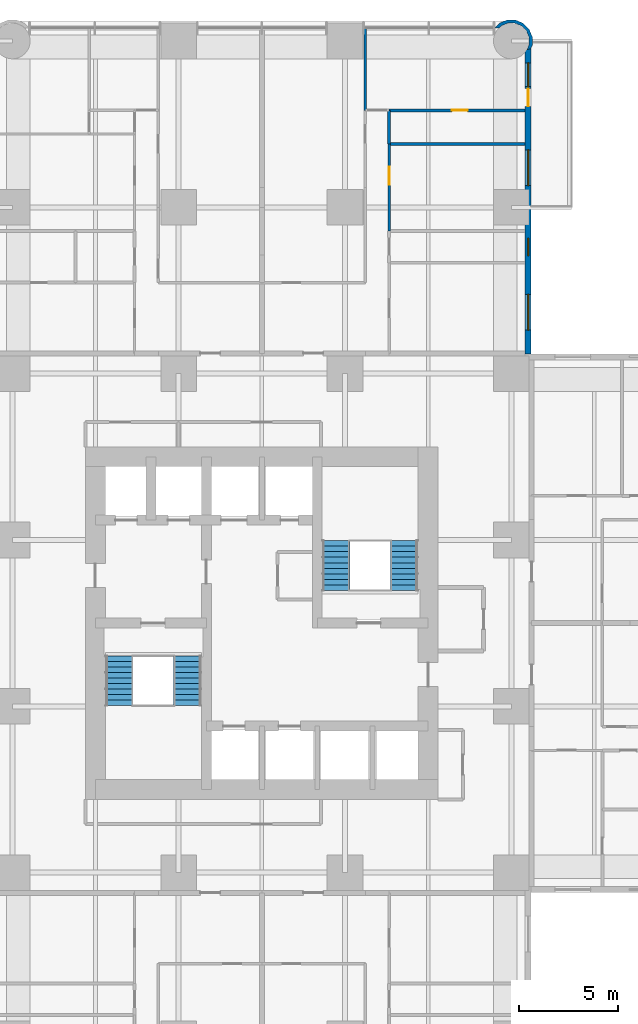
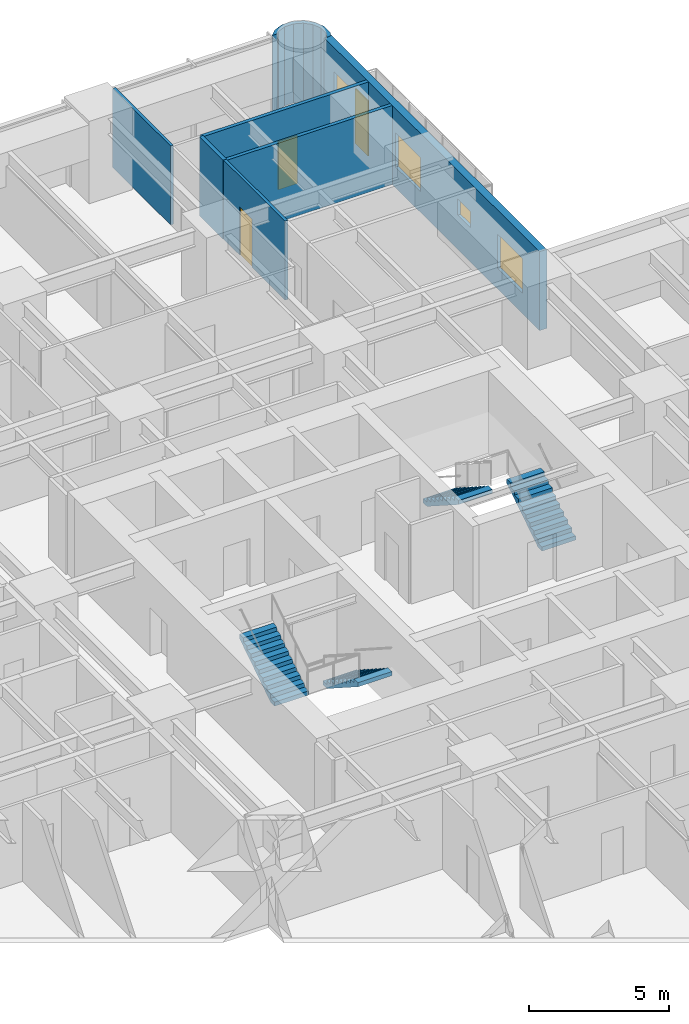
# One storey, part 15 of 17: 7 walls, 4 stair flights, 4 windows, 3 doors, 7 openings, 2 elements without a shape of their own.
"""IFC4 building model written with IfcOpenShell, lengths in metres."""

from ifc_helpers import new_model, si_unit, direction, frame, frame_2d, origin, place, context, subcontext, project, spatial, polyline, rectangle, outline, extrude, material, layer, layer_set, type_object, element, fill, aggregate, save


model = new_model("IFC4")

# Units and contexts
model_context = context("Model", 3, precision=1e-05, world=origin(), true_north=direction((0.0, 1.0)))
body_context = subcontext(model_context, "Body", "Model", "MODEL_VIEW")
ifc_project = project(units=[si_unit("LENGTHUNIT", "METRE"), si_unit("AREAUNIT", "SQUARE_METRE"), si_unit("VOLUMEUNIT", "CUBIC_METRE"), si_unit("PLANEANGLEUNIT", "RADIAN"), si_unit("MASSUNIT", "GRAM", prefix="KILO")], contexts=[model_context])

# Site, building, storey
site_placement = place(None, origin())
site = spatial("IfcSite", under=ifc_project, at=site_placement, CompositionType="ELEMENT")
building_placement = place(site_placement, origin())
building = spatial("IfcBuilding", under=site, at=building_placement, Name="Torre Alcanfor", CompositionType="ELEMENT")
storey_placement = place(building_placement, frame((0.0, 0.0, 74.10009765625)))
storey = spatial("IfcBuildingStorey", under=building, at=storey_placement, Name="L18", CompositionType="ELEMENT", Elevation=74.10009765625)

# Wall
ifc_material_1 = material(Name="Gypsum board on steel studs", Category="steel")
ifc_layer_1 = layer(ifc_material_1, 0.1201171875)
ifc_layer_set_1 = layer_set([ifc_layer_1], Name="Apartment partition 120")
wall_type_1 = type_object("IfcWallType", Name="Apartment partition 120", PredefinedType="PARTITIONING", material=ifc_layer_set_1)
wall_1_placement = place(storey_placement, frame((34.62890625, 59.449951171875, 0.0), z_axis=(0.0, 0.0, 1.0), x_axis=(0.0, -1.0, 0.0)))
element("IfcWall", 1, at=wall_1_placement, inside=storey, type_object=wall_type_1, Name="Partition L18-N2-LIVING / L18-N2-MASTER", PredefinedType="PARTITIONING", context=body_context, shape_type="SweptSolid", body=[
    extrude(rectangle(XDim=4.14990234375, YDim=0.1201171875, at=frame_2d((2.074951171875, 0.0))), origin(), (0.0, 0.0, 1.0), 3.449951171875),
])

# Wall, opening, door
wall_2_placement = place(storey_placement, frame((35.8291015625, 53.60009765625, 0.0), z_axis=(0.0, 0.0, 1.0), x_axis=(0.0, -1.0, 0.0)))
wall_2 = element("IfcWall", 2, at=wall_2_placement, inside=storey, type_object=wall_type_1, Name="Partition L18-N2-HALL / L18-N2-BED2", PredefinedType="PARTITIONING", context=body_context, shape_type="SweptSolid", body=[
    extrude(rectangle(XDim=4.400146484375, YDim=0.1201171875, at=frame_2d((2.2001953125, 0.0))), origin(), (0.0, 0.0, 1.0), 3.449951171875),
])
opening_1_placement = place(wall_2_placement, frame((1.14990234375, 0.0, 0.0)))
opening_1 = element("IfcOpeningElement", 3, at=opening_1_placement, cuts=wall_2, Name="Opening D-R1", PredefinedType="OPENING", context=body_context, shape_type="SweptSolid", body=[
    extrude(rectangle(XDim=0.89990234375, YDim=2.10009765625, at=frame_2d((0.449951171875, 1.050048828125))), frame((0.0, 0.070068359375, 0.0), z_axis=(0.0, -1.0, 0.0), x_axis=(1.0, 0.0, 0.0)), (0.0, 0.0, 1.0), 0.14013671875),
])
ifc_material_2 = material(Name="Timber", Category="wood")
door_type_1 = type_object("IfcDoorType", Name="Internal door 900x2100", OperationType="SINGLE_SWING_LEFT", PredefinedType="DOOR", material=ifc_material_2)
door_1_placement = place(opening_1_placement, origin())
door_1 = element("IfcDoor", 4, at=door_1_placement, inside=storey, type_object=door_type_1, Name="Door L18-N2 bed2", OperationType="SINGLE_SWING_LEFT", OverallHeight=2.10009765625, OverallWidth=0.89990234375, PredefinedType="DOOR", context=body_context, shape_type="SweptSolid", body=[
    extrude(rectangle(XDim=0.89990234375, YDim=2.10009765625, at=frame_2d((0.449951171875, 1.050048828125))), frame((0.0, 0.02490234375, 0.0), z_axis=(0.0, -1.0, 0.0), x_axis=(1.0, 0.0, 0.0)), (0.0, 0.0, 1.0), 0.050048828125),
])
fill(opening_1, door_1)

# Wall, openings, door, windows
ifc_material_3 = material(Name="Limestone cladding", Category="masonry")
ifc_layer_2 = layer(ifc_material_3, 0.0400390625, Name="Facing")
ifc_material_4 = material(Name="Ventilated air cavity")
ifc_layer_3 = layer(ifc_material_4, 0.02001953125, ventilated=True, Name="Ventilated joint")
ifc_material_5 = material(Name="Mineral wool insulation", Category="insulation")
ifc_layer_4 = layer(ifc_material_5, 0.10009765625, Name="Insulation")
ifc_material_6 = material(Name="Concrete f'c 35 MPa", Category="concrete")
ifc_layer_5 = layer(ifc_material_6, 0.139892578125, Name="Backing")
ifc_layer_set_2 = layer_set([ifc_layer_2, ifc_layer_3, ifc_layer_4, ifc_layer_5], Name="External wall stone-clad 300")
wall_type_2 = type_object("IfcWallType", Name="External wall stone-clad 300", PredefinedType="SOLIDWALL", material=ifc_layer_set_2)
wall_3_placement = place(storey_placement, frame((42.85009765625, 43.0, 0.0), z_axis=(0.0, 0.0, 1.0), x_axis=(0.0, 1.0, 0.0)))
wall_3 = element("IfcWall", 5, at=wall_3_placement, inside=storey, type_object=wall_type_2, Name="External wall L18 10", PredefinedType="SOLIDWALL", context=body_context, shape_type="SweptSolid", body=[
    extrude(rectangle(XDim=15.39990234375, YDim=0.300048828125, at=frame_2d((7.699951171875, 0.0))), origin(), (0.0, 0.0, 1.0), 3.449951171875),
])
opening_2_placement = place(wall_3_placement, frame((1.199951171875, 0.0, 0.89990234375)))
opening_2 = element("IfcOpeningElement", 6, at=opening_2_placement, cuts=wall_3, Name="Opening W2", PredefinedType="OPENING", context=body_context, shape_type="SweptSolid", body=[
    extrude(rectangle(XDim=1.800048828125, YDim=1.5, at=frame_2d((0.89990234375, 0.75))), frame((0.0, 0.159912109375, 0.0), z_axis=(0.0, -1.0, 0.0), x_axis=(1.0, 0.0, 0.0)), (0.0, 0.0, 1.0), 0.320068359375),
])
opening_3_placement = place(wall_3_placement, frame((4.949951171875, 0.0, 1.5)))
opening_3 = element("IfcOpeningElement", 7, at=opening_3_placement, cuts=wall_3, Name="Opening W3", PredefinedType="OPENING", context=body_context, shape_type="SweptSolid", body=[
    extrude(rectangle(XDim=0.89990234375, YDim=0.699951171875, at=frame_2d((0.449951171875, 0.35009765625))), frame((0.0, 0.159912109375, 0.0), z_axis=(0.0, -1.0, 0.0), x_axis=(1.0, 0.0, 0.0)), (0.0, 0.0, 1.0), 0.320068359375),
])
opening_4_placement = place(wall_3_placement, frame((8.5, 0.0, 0.89990234375)))
opening_4 = element("IfcOpeningElement", 8, at=opening_4_placement, cuts=wall_3, Name="Opening W2", PredefinedType="OPENING", context=body_context, shape_type="SweptSolid", body=[
    extrude(rectangle(XDim=1.800048828125, YDim=1.5, at=frame_2d((0.89990234375, 0.75))), frame((0.0, 0.159912109375, 0.0), z_axis=(0.0, -1.0, 0.0), x_axis=(1.0, 0.0, 0.0)), (0.0, 0.0, 1.0), 0.320068359375),
])
opening_5_placement = place(wall_3_placement, frame((12.5, 0.0, 0.0)))
opening_5 = element("IfcOpeningElement", 9, at=opening_5_placement, cuts=wall_3, Name="Opening D-B1", PredefinedType="OPENING", context=body_context, shape_type="SweptSolid", body=[
    extrude(rectangle(XDim=0.89990234375, YDim=2.39990234375, at=frame_2d((0.449951171875, 1.199951171875))), frame((0.0, 0.159912109375, 0.0), z_axis=(0.0, -1.0, 0.0), x_axis=(1.0, 0.0, 0.0)), (0.0, 0.0, 1.0), 0.320068359375),
])
opening_6_placement = place(wall_3_placement, frame((13.5, 0.0, 0.89990234375)))
opening_6 = element("IfcOpeningElement", 10, at=opening_6_placement, cuts=wall_3, Name="Opening W4", PredefinedType="OPENING", context=body_context, shape_type="SweptSolid", body=[
    extrude(rectangle(XDim=1.199951171875, YDim=1.5, at=frame_2d((0.60009765625, 0.75))), frame((0.0, 0.159912109375, 0.0), z_axis=(0.0, -1.0, 0.0), x_axis=(1.0, 0.0, 0.0)), (0.0, 0.0, 1.0), 0.320068359375),
])
ifc_material_7 = material(Name="Aluminium and glass", Category="aluminium")
door_type_2 = type_object("IfcDoorType", Name="Balcony door glazed 900x2400", OperationType="SINGLE_SWING_LEFT", PredefinedType="DOOR", material=ifc_material_7)
door_2_placement = place(opening_5_placement, origin())
door_2 = element("IfcDoor", 11, at=door_2_placement, inside=storey, type_object=door_type_2, Name="Balcony door L18-N2", OperationType="SINGLE_SWING_LEFT", OverallHeight=2.39990234375, OverallWidth=0.89990234375, PredefinedType="DOOR", context=body_context, shape_type="SweptSolid", body=[
    extrude(rectangle(XDim=0.89990234375, YDim=2.39990234375, at=frame_2d((0.449951171875, 1.199951171875))), frame((0.0, 0.02490234375, 0.0), z_axis=(0.0, -1.0, 0.0), x_axis=(1.0, 0.0, 0.0)), (0.0, 0.0, 1.0), 0.050048828125),
])
fill(opening_5, door_2)
ifc_material_8 = material(Name="Aluminium frame with clear double glazing", Category="aluminium")
window_type_1 = type_object("IfcWindowType", Name="Window bathroom 900x700", PartitioningType="SINGLE_PANEL", PredefinedType="WINDOW", material=ifc_material_8)
window_1_placement = place(opening_3_placement, origin())
window_1 = element("IfcWindow", 12, at=window_1_placement, inside=storey, type_object=window_type_1, Name="Window W3 L18-N2", OverallHeight=0.699951171875, OverallWidth=0.89990234375, PartitioningType="SINGLE_PANEL", PredefinedType="WINDOW", context=body_context, shape_type="SweptSolid", body=[
    extrude(rectangle(XDim=0.89990234375, YDim=0.699951171875, at=frame_2d((0.449951171875, 0.35009765625))), frame((0.0, 0.030029296875, 0.0), z_axis=(0.0, -1.0, 0.0), x_axis=(1.0, 0.0, 0.0)), (0.0, 0.0, 1.0), 0.06005859375),
])
fill(opening_3, window_1)
ifc_material_9 = material(Name="Aluminium frame with clear double glazing", Category="aluminium")
window_type_2 = type_object("IfcWindowType", Name="Window bedroom 1200x1500", PartitioningType="SINGLE_PANEL", PredefinedType="WINDOW", material=ifc_material_9)
window_2_placement = place(opening_6_placement, origin())
window_2 = element("IfcWindow", 13, at=window_2_placement, inside=storey, type_object=window_type_2, Name="Window W4 L18-N2", OverallHeight=1.5, OverallWidth=1.199951171875, PartitioningType="SINGLE_PANEL", PredefinedType="WINDOW", context=body_context, shape_type="SweptSolid", body=[
    extrude(rectangle(XDim=1.199951171875, YDim=1.5, at=frame_2d((0.60009765625, 0.75))), frame((0.0, 0.030029296875, 0.0), z_axis=(0.0, -1.0, 0.0), x_axis=(1.0, 0.0, 0.0)), (0.0, 0.0, 1.0), 0.06005859375),
])
fill(opening_6, window_2)
ifc_material_10 = material(Name="Aluminium frame with clear double glazing", Category="aluminium")
window_type_3 = type_object("IfcWindowType", Name="Window bedroom 1800x1500", PartitioningType="SINGLE_PANEL", PredefinedType="WINDOW", material=ifc_material_10)
window_3_placement = place(opening_2_placement, origin())
window_3 = element("IfcWindow", 14, at=window_3_placement, inside=storey, type_object=window_type_3, Name="Window W2 L18-N2", OverallHeight=1.5, OverallWidth=1.800048828125, PartitioningType="SINGLE_PANEL", PredefinedType="WINDOW", context=body_context, shape_type="SweptSolid", body=[
    extrude(rectangle(XDim=1.800048828125, YDim=1.5, at=frame_2d((0.89990234375, 0.75))), frame((0.0, 0.030029296875, 0.0), z_axis=(0.0, -1.0, 0.0), x_axis=(1.0, 0.0, 0.0)), (0.0, 0.0, 1.0), 0.06005859375),
])
fill(opening_2, window_3)
window_4_placement = place(opening_4_placement, origin())
window_4 = element("IfcWindow", 15, at=window_4_placement, inside=storey, type_object=window_type_3, Name="Window W2 L18-N2", OverallHeight=1.5, OverallWidth=1.800048828125, PartitioningType="SINGLE_PANEL", PredefinedType="WINDOW", context=body_context, shape_type="SweptSolid", body=[
    extrude(rectangle(XDim=1.800048828125, YDim=1.5, at=frame_2d((0.89990234375, 0.75))), frame((0.0, 0.030029296875, 0.0), z_axis=(0.0, -1.0, 0.0), x_axis=(1.0, 0.0, 0.0)), (0.0, 0.0, 1.0), 0.06005859375),
])
fill(opening_4, window_4)

# Walls
ifc_layer_6 = layer(ifc_material_3, 0.0400390625, Name="Facing")
ifc_layer_7 = layer(ifc_material_4, 0.02001953125, ventilated=True, Name="Ventilated joint")
ifc_layer_8 = layer(ifc_material_5, 0.10009765625, Name="Insulation")
ifc_layer_9 = layer(ifc_material_6, 0.139892578125, Name="Backing")
ifc_layer_set_3 = layer_set([ifc_layer_6, ifc_layer_7, ifc_layer_8, ifc_layer_9], Name="Rounded corner pier stone-clad 300")
wall_type_3 = type_object("IfcWallType", Name="Rounded corner pier stone-clad 300", PredefinedType="SOLIDWALL", material=ifc_layer_set_3)
wall_4_placement = place(storey_placement, frame((42.909907157, 58.436037137, 0.0), z_axis=(0.0, 0.0, 1.0), x_axis=(0.377204953059, 0.926129809145, 0.0)))
element("IfcWall", 16, at=wall_4_placement, inside=storey, type_object=wall_type_3, Name="Corner pier L18 19", PredefinedType="SOLIDWALL", context=body_context, shape_type="SweptSolid", body=[
    extrude(outline(polyline([(0.7691852559267269, 1.7275655888693722), (0.7500837815089341, 1.7226854696447296), (0.5995184426781746, 1.8748886632921522), (0.2945936606603473, 2.0035010026328943), (0.2810273060341947, 1.997975539453316), (0.36031770266114094, 1.803298350568026), (0.5085974876189833, 1.7408474269996308), (0.7606365681954048, 1.4857768783201941), (0.8958262339890831, 1.1538534018003268), (0.8937222712355792, 0.7952725095567933), (0.7546148492098406, 0.46498406151765126), (0.499678315387847, 0.21326317790465843), (0.16775483886797962, 0.07807351211098004), (-0.09987659960761772, 0.07952365190173498), (0.0005179574386563676, -0.09706789048462287), (0.030062934124933945, -0.08028941878374739), (0.19840443706273136, -0.08131937838229769), (0.5888893443854909, 0.07772187013655965), (0.888882191412798, 0.3741551975114527), (1.0524222412975957, 0.7628997957685094), (1.0551270334293679, 1.1847291059055145), (0.8961778759635035, 1.5749879073178383), (0.7777318237989179, 1.6949314401857838), (0.7691852559267269, 1.7275655888693722)])), origin(), (0.0, 0.0, 1.0), 3.449951171875),
])
ifc_material_11 = material(Name="Cement board on steel studs", Category="steel")
ifc_layer_10 = layer(ifc_material_11, 0.14990234375)
ifc_layer_set_4 = layer_set([ifc_layer_10], Name="Wet area partition 150")
wall_type_4 = type_object("IfcWallType", Name="Wet area partition 150", PredefinedType="PARTITIONING", material=ifc_layer_set_4)
wall_5_placement = place(storey_placement, frame((35.8291015625, 55.300048828125, 0.0), z_axis=(0.0, 0.0, 1.0), x_axis=(0.0, -1.0, 0.0)))
element("IfcWall", 17, at=wall_5_placement, inside=storey, type_object=wall_type_4, Name="Partition L18-N2-HALL / L18-N2-ENSBATH", PredefinedType="PARTITIONING", context=body_context, shape_type="SweptSolid", body=[
    extrude(rectangle(XDim=1.699951171875, YDim=0.14990234375, at=frame_2d((0.85009765625, 0.0))), origin(), (0.0, 0.0, 1.0), 3.449951171875),
])
wall_6_placement = place(storey_placement, frame((35.8291015625, 53.60009765625, 0.0), z_axis=(0.0, 0.0, 1.0), x_axis=(1.0, 0.0, 0.0)))
element("IfcWall", 18, at=wall_6_placement, inside=storey, type_object=wall_type_4, Name="Partition L18-N2-BED2 / L18-N2-ENSBATH", PredefinedType="PARTITIONING", context=body_context, shape_type="SweptSolid", body=[
    extrude(rectangle(XDim=6.870849609375, YDim=0.14990234375, at=frame_2d((3.435546875, 0.0))), origin(), (0.0, 0.0, 1.0), 3.449951171875),
])

# Wall, opening, door
wall_7_placement = place(storey_placement, frame((35.8291015625, 55.300048828125, 0.0), z_axis=(0.0, 0.0, 1.0), x_axis=(1.0, 0.0, 0.0)))
wall_7 = element("IfcWall", 19, at=wall_7_placement, inside=storey, type_object=wall_type_4, Name="Partition L18-N2-ENSBATH / L18-N2-MASTER", PredefinedType="PARTITIONING", context=body_context, shape_type="SweptSolid", body=[
    extrude(rectangle(XDim=6.870849609375, YDim=0.14990234375, at=frame_2d((3.435546875, 0.0))), origin(), (0.0, 0.0, 1.0), 3.449951171875),
])
opening_7_placement = place(wall_7_placement, frame((3.1708984375, 0.0, 0.0)))
opening_7 = element("IfcOpeningElement", 20, at=opening_7_placement, cuts=wall_7, Name="Opening D-R2", PredefinedType="OPENING", context=body_context, shape_type="SweptSolid", body=[
    extrude(rectangle(XDim=0.800048828125, YDim=2.10009765625, at=frame_2d((0.39990234375, 1.050048828125))), frame((0.0, 0.0849609375, 0.0), z_axis=(0.0, -1.0, 0.0), x_axis=(1.0, 0.0, 0.0)), (0.0, 0.0, 1.0), 0.169921875),
])
ifc_material_12 = material(Name="Timber", Category="wood")
door_type_3 = type_object("IfcDoorType", Name="Bathroom door 800x2100", OperationType="SINGLE_SWING_LEFT", PredefinedType="DOOR", material=ifc_material_12)
door_3_placement = place(opening_7_placement, frame((0.800048828125, 0.0, 0.0), z_axis=(0.0, 0.0, 1.0), x_axis=(-1.0, 0.0, 0.0)))
door_3 = element("IfcDoor", 21, at=door_3_placement, inside=storey, type_object=door_type_3, Name="Door L18-N2 ensbath", OperationType="SINGLE_SWING_LEFT", OverallHeight=2.10009765625, OverallWidth=0.800048828125, PredefinedType="DOOR", context=body_context, shape_type="SweptSolid", body=[
    extrude(rectangle(XDim=0.800048828125, YDim=2.10009765625, at=frame_2d((0.400146484375, 1.050048828125))), frame((0.0, 0.025146484375, 0.0), z_axis=(0.0, -1.0, 0.0), x_axis=(1.0, 0.0, 0.0)), (0.0, 0.0, 1.0), 0.050048828125),
])
fill(opening_7, door_3)

# Stair, stair flights
ifc_material_13 = material(Name="Concrete f'c 35 MPa", Category="concrete")
stair_type_1 = type_object("IfcStairType", Name="Exit stair S1 1400 wide", PredefinedType="HALF_TURN_STAIR", material=ifc_material_13)
stair_1_placement = place(storey_placement, origin())
stair_1 = element("IfcStair", 22, at=stair_1_placement, inside=storey, type_object=stair_type_1, Name="Stair S1 L18 to L19", PredefinedType="HALF_TURN_STAIR")
ifc_material_14 = material(Name="Concrete f'c 35 MPa", Category="concrete")
stair_flight_type = type_object("IfcStairFlightType", Name="Stair flight 1400", PredefinedType="STRAIGHT", material=ifc_material_14)
stair_flight_1_placement = place(storey_placement, frame((25.64990234375, 27.75, 0.0), z_axis=(0.0, 0.0, 1.0), x_axis=(0.0, -1.0, 0.0)))
stair_flight_1 = element("IfcStairFlight", 23, at=stair_flight_1_placement, type_object=stair_flight_type, Name="S1 flight 1", NumberOfRisers=10, NumberOfTreads=9, PredefinedType="STRAIGHT", RiserHeight=0.18, TreadLength=0.28, context=body_context, shape_type="SweptSolid", body=[
    extrude(outline(polyline([(0.0, 0.0), (0.0, 0.179931640625), (0.280029296875, 0.179931640625), (0.280029296875, 0.360107421875), (0.56005859375, 0.360107421875), (0.56005859375, 0.5400390625), (0.840087890625, 0.5400390625), (0.840087890625, 0.719970703125), (1.1201171875, 0.719970703125), (1.1201171875, 0.89990234375), (1.39990234375, 0.89990234375), (1.39990234375, 1.080078125), (1.679931640625, 1.080078125), (1.679931640625, 1.260009765625), (1.9599609375, 1.260009765625), (1.9599609375, 1.43994140625), (2.239990234375, 1.43994140625), (2.239990234375, 1.6201171875), (2.52001953125, 1.6201171875), (2.52001953125, 1.800048828125), (2.52001953125, 1.44189453125), (0.277099609375, 0.0), (0.0, 0.0)])), frame((0.0, 0.699951171875, 0.0), z_axis=(0.0, -1.0, 0.0), x_axis=(1.0, 0.0, 0.0)), (0.0, 0.0, 1.0), 1.39990234375),
])
stair_flight_2_placement = place(storey_placement, frame((22.199951171875, 25.22998046875, 1.7998046875), z_axis=(0.0, 0.0, 1.0), x_axis=(0.0, 1.0, 0.0)))
stair_flight_2 = element("IfcStairFlight", 24, at=stair_flight_2_placement, type_object=stair_flight_type, Name="S1 flight 2", NumberOfRisers=10, NumberOfTreads=9, PredefinedType="STRAIGHT", RiserHeight=0.18, TreadLength=0.28, context=body_context, shape_type="SweptSolid", body=[
    extrude(outline(polyline([(0.0, 0.0), (0.0, 0.179931640625), (0.280029296875, 0.179931640625), (0.280029296875, 0.360107421875), (0.56005859375, 0.360107421875), (0.56005859375, 0.5400390625), (0.840087890625, 0.5400390625), (0.840087890625, 0.719970703125), (1.1201171875, 0.719970703125), (1.1201171875, 0.89990234375), (1.39990234375, 0.89990234375), (1.39990234375, 1.080078125), (1.679931640625, 1.080078125), (1.679931640625, 1.260009765625), (1.9599609375, 1.260009765625), (1.9599609375, 1.43994140625), (2.239990234375, 1.43994140625), (2.239990234375, 1.6201171875), (2.52001953125, 1.6201171875), (2.52001953125, 1.800048828125), (2.52001953125, 1.44189453125), (0.277099609375, 0.0), (0.0, 0.0)])), frame((0.0, 0.699951171875, 0.0), z_axis=(0.0, -1.0, 0.0), x_axis=(1.0, 0.0, 0.0)), (0.0, 0.0, 1.0), 1.39990234375),
])
aggregate(stair_1, [stair_flight_1, stair_flight_2])

ifc_material_15 = material(Name="Concrete f'c 35 MPa", Category="concrete")
stair_type_2 = type_object("IfcStairType", Name="Exit stair S2 1400 wide", PredefinedType="HALF_TURN_STAIR", material=ifc_material_15)
stair_2_placement = place(storey_placement, origin())
stair_2 = element("IfcStair", 25, at=stair_2_placement, inside=storey, type_object=stair_type_2, Name="Stair S2 L18 to L19", PredefinedType="HALF_TURN_STAIR")
stair_flight_3_placement = place(storey_placement, frame((36.60009765625, 31.050048828125, 0.0), z_axis=(0.0, 0.0, 1.0), x_axis=(0.0, 1.0, 0.0)))
stair_flight_3 = element("IfcStairFlight", 26, at=stair_flight_3_placement, type_object=stair_flight_type, Name="S2 flight 1", NumberOfRisers=10, NumberOfTreads=9, PredefinedType="STRAIGHT", RiserHeight=0.18, TreadLength=0.28, context=body_context, shape_type="SweptSolid", body=[
    extrude(outline(polyline([(0.0, 0.0), (0.0, 0.179931640625), (0.280029296875, 0.179931640625), (0.280029296875, 0.360107421875), (0.56005859375, 0.360107421875), (0.56005859375, 0.5400390625), (0.840087890625, 0.5400390625), (0.840087890625, 0.719970703125), (1.1201171875, 0.719970703125), (1.1201171875, 0.89990234375), (1.39990234375, 0.89990234375), (1.39990234375, 1.080078125), (1.679931640625, 1.080078125), (1.679931640625, 1.260009765625), (1.9599609375, 1.260009765625), (1.9599609375, 1.43994140625), (2.239990234375, 1.43994140625), (2.239990234375, 1.6201171875), (2.52001953125, 1.6201171875), (2.52001953125, 1.800048828125), (2.52001953125, 1.44189453125), (0.277099609375, 0.0), (0.0, 0.0)])), frame((0.0, 0.699951171875, 0.0), z_axis=(0.0, -1.0, 0.0), x_axis=(1.0, 0.0, 0.0)), (0.0, 0.0, 1.0), 1.39990234375),
])
stair_flight_4_placement = place(storey_placement, frame((33.14990234375, 33.570068359375, 1.7998046875), z_axis=(0.0, 0.0, 1.0), x_axis=(0.0, -1.0, 0.0)))
stair_flight_4 = element("IfcStairFlight", 27, at=stair_flight_4_placement, type_object=stair_flight_type, Name="S2 flight 2", NumberOfRisers=10, NumberOfTreads=9, PredefinedType="STRAIGHT", RiserHeight=0.18, TreadLength=0.28, context=body_context, shape_type="SweptSolid", body=[
    extrude(outline(polyline([(0.0, 0.0), (0.0, 0.179931640625), (0.280029296875, 0.179931640625), (0.280029296875, 0.360107421875), (0.56005859375, 0.360107421875), (0.56005859375, 0.5400390625), (0.840087890625, 0.5400390625), (0.840087890625, 0.719970703125), (1.1201171875, 0.719970703125), (1.1201171875, 0.89990234375), (1.39990234375, 0.89990234375), (1.39990234375, 1.080078125), (1.679931640625, 1.080078125), (1.679931640625, 1.260009765625), (1.9599609375, 1.260009765625), (1.9599609375, 1.43994140625), (2.239990234375, 1.43994140625), (2.239990234375, 1.6201171875), (2.52001953125, 1.6201171875), (2.52001953125, 1.800048828125), (2.52001953125, 1.44189453125), (0.277099609375, 0.0), (0.0, 0.0)])), frame((0.0, 0.699951171875, 0.0), z_axis=(0.0, -1.0, 0.0), x_axis=(1.0, 0.0, 0.0)), (0.0, 0.0, 1.0), 1.39990234375),
])
aggregate(stair_2, [stair_flight_3, stair_flight_4])

save(model, "model.ifc")
